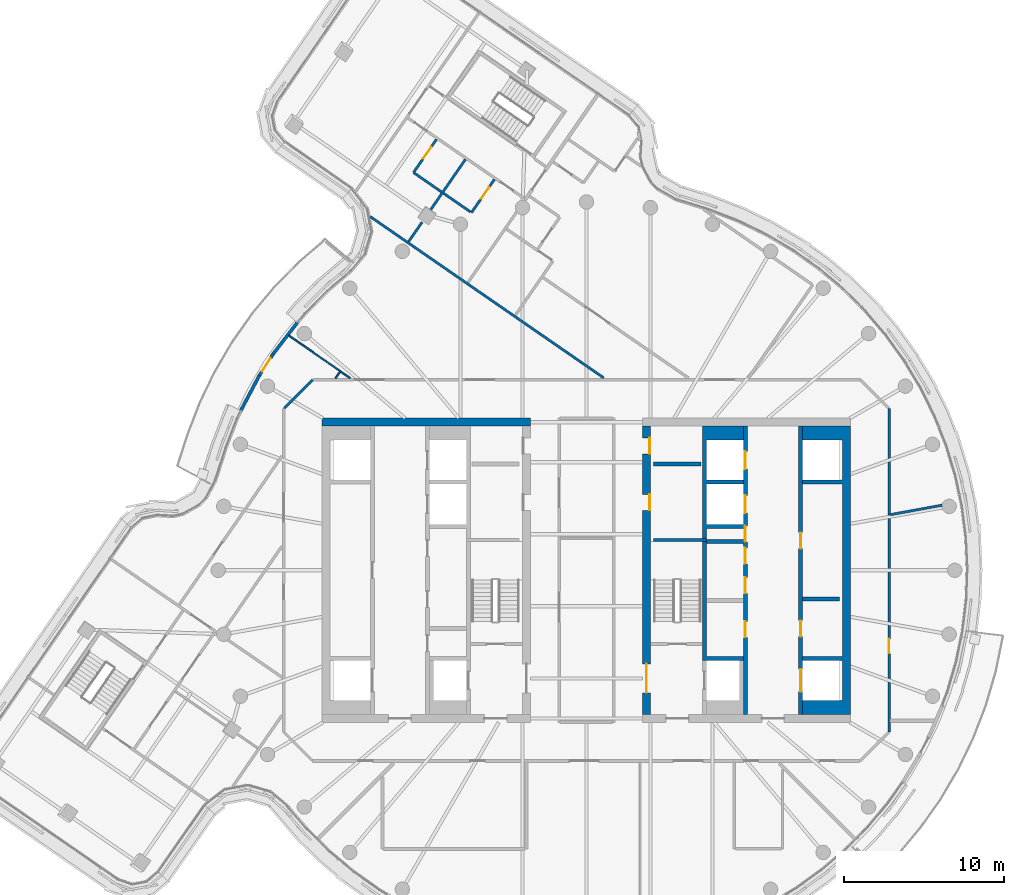
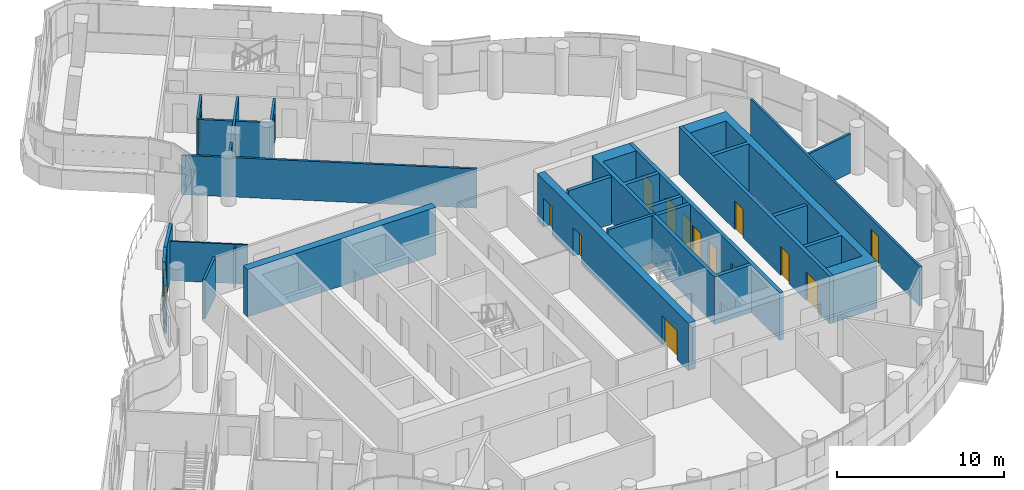
# One storey, part 18 of 26: 24 walls, 16 doors, 16 openings.
"""IFC4 building model written with IfcOpenShell, lengths in metres."""

import ifcopenshell
import ifcopenshell.guid

model = None  # the IFC model being written
_history = None  # IfcOwnerHistory: only IFC2X3 demands one
_inside = {}  # id of a spatial element -> (the spatial element, [elements in it])
_under = {}  # id of a project, library or spatial element -> (it, [spatial elements below it])
_declared = {}  # id of a project -> (the project, [libraries it declares])
_typed = {}  # id of a type object -> (the type object, [elements of that type])
_made_of = {}  # id of a material, layer set ... -> (it, [elements and type objects made of it])


def new_model(schema):
    """Start an empty IFC model of exactly this schema.

    Asked for "IFC4X3", IfcOpenShell would pick the latest addendum, in which some entities
    have other attributes; the version numbers below select the first issue.
    IFC2X3 requires an IfcOwnerHistory on every rooted entity: one is made here for all.
    """
    global model, _history
    if schema == "IFC4X3":
        model = ifcopenshell.file(schema_version=(4, 3, 0, 0))
    else:
        model = ifcopenshell.file(schema=schema)
    _inside.clear()
    _under.clear()
    _declared.clear()
    _typed.clear()
    _made_of.clear()
    _history = None
    if model.schema == "IFC2X3":
        org = make("IfcOrganization", Name="unknown")
        user = make(
            "IfcPersonAndOrganization",
            ThePerson=make("IfcPerson", FamilyName="unknown"),
            TheOrganization=org,
        )
        app = make(
            "IfcApplication",
            ApplicationDeveloper=org,
            Version="unknown",
            ApplicationFullName="unknown",
            ApplicationIdentifier="unknown",
        )
        _history = make(
            "IfcOwnerHistory",
            OwningUser=user,
            OwningApplication=app,
            ChangeAction="ADDED",
            CreationDate=0,
        )
    return model


def make(cls, **values):
    """One entity of the class cls with the attributes given. An attribute that is None is left unset."""
    return model.create_entity(
        cls, **{name: value for name, value in values.items() if value is not None}
    )


def rooted(cls, **values):
    """An entity with a GlobalId (a new one), such as an element, a storey or a relation."""
    return make(cls, GlobalId=ifcopenshell.guid.new(), OwnerHistory=_history, **values)


def si_unit(unit_type, name, prefix=None):
    """IfcSIUnit, for example si_unit("LENGTHUNIT", "METRE", prefix="MILLI")."""
    return make("IfcSIUnit", UnitType=unit_type, Prefix=prefix, Name=name)


def assignment(units):
    """IfcUnitAssignment: the units of a project."""
    return None if units is None else make("IfcUnitAssignment", Units=units)


def point(xyz):
    """IfcCartesianPoint."""
    return None if xyz is None else make("IfcCartesianPoint", Coordinates=xyz)


def direction(xyz):
    """IfcDirection."""
    return None if xyz is None else make("IfcDirection", DirectionRatios=xyz)


def frame(location, z_axis=None, x_axis=None):
    """IfcAxis2Placement3D, a coordinate frame: its origin and axes. An axis left out is left unset."""
    return make(
        "IfcAxis2Placement3D",
        Location=point(location),
        Axis=direction(z_axis),
        RefDirection=direction(x_axis),
    )


def frame_2d(location, x_axis=None):
    """IfcAxis2Placement2D, a coordinate frame in the plane: its origin and x axis."""
    return make(
        "IfcAxis2Placement2D", Location=point(location), RefDirection=direction(x_axis)
    )


def origin():
    """The frame at (0, 0, 0) with its axes left unset."""
    return frame((0.0, 0.0, 0.0))


def place(relative_to, where):
    """IfcLocalPlacement: puts the frame where relative to a parent placement (None: the world)."""
    return make(
        "IfcLocalPlacement", PlacementRelTo=relative_to, RelativePlacement=where
    )


def context(
    kind, dimensions, precision=None, world=None, true_north=None, identifier=None
):
    """IfcGeometricRepresentationContext, for example the 3D "Model" context."""
    return make(
        "IfcGeometricRepresentationContext",
        ContextIdentifier=identifier,
        ContextType=kind,
        CoordinateSpaceDimension=dimensions,
        Precision=precision,
        WorldCoordinateSystem=world,
        TrueNorth=true_north,
    )


def subcontext(parent, identifier, kind, view, scale=None):
    """IfcGeometricRepresentationSubContext, for example "Body" below "Model"."""
    return make(
        "IfcGeometricRepresentationSubContext",
        ContextIdentifier=identifier,
        ContextType=kind,
        ParentContext=parent,
        TargetScale=scale,
        TargetView=view,
    )


def project(units=None, contexts=None):
    """IfcProject with its units and contexts."""
    return rooted(
        "IfcProject",
        Name="project",
        RepresentationContexts=contexts,
        UnitsInContext=assignment(units),
    )


def spatial(cls, under=None, at=None, **own):
    """A site, building, storey or space (cls), placed at a placement, below another one or the project."""
    s = rooted(cls, ObjectPlacement=at, **own)
    if under is not None:
        _under.setdefault(under.id(), (under, []))[1].append(s)
    return s


def polyline(points):
    """IfcPolyline through the points."""
    return make("IfcPolyline", Points=[point(p) for p in points])


def profile(cls, at=None, kind="AREA", **sizes):
    """A parametric profile (cls). Its sizes go by their IFC names, for example OverallWidth=200.0."""
    return make(cls, ProfileType=kind, Position=at, **sizes)


def rectangle(**sizes):
    """IfcRectangleProfileDef."""
    return profile("IfcRectangleProfileDef", **sizes)


def outline(outer, holes=None, kind="AREA"):
    """IfcArbitraryClosedProfileDef: a profile drawn as a closed curve; with holes, ...WithVoids."""
    if holes is None:
        return make("IfcArbitraryClosedProfileDef", ProfileType=kind, OuterCurve=outer)
    return make(
        "IfcArbitraryProfileDefWithVoids",
        ProfileType=kind,
        OuterCurve=outer,
        InnerCurves=holes,
    )


def extrude(swept, where, along, depth):
    """IfcExtrudedAreaSolid: the profile swept, set in the frame where, extruded along a direction by depth."""
    return make(
        "IfcExtrudedAreaSolid",
        SweptArea=swept,
        Position=where,
        ExtrudedDirection=direction(along),
        Depth=depth,
    )


def shape(context_of_items, identifier, shape_type, items):
    """IfcShapeRepresentation: the items that make up one representation, for example the "Body"."""
    return make(
        "IfcShapeRepresentation",
        ContextOfItems=context_of_items,
        RepresentationIdentifier=identifier,
        RepresentationType=shape_type,
        Items=items,
    )


def material(Name=None, Category=None):
    """IfcMaterial."""
    return make("IfcMaterial", Name=Name, Category=Category)


def layer(
    of_material, thickness, ventilated=None, Name=None, Category=None, Priority=None
):
    """IfcMaterialLayer: one layer of a wall or slab, of a material (None: an air gap)."""
    return make(
        "IfcMaterialLayer",
        Material=of_material,
        LayerThickness=thickness,
        IsVentilated=ventilated,
        Name=Name,
        Category=Category,
        Priority=Priority,
    )


def layer_set(layers, Name=None):
    """IfcMaterialLayerSet."""
    return make("IfcMaterialLayerSet", MaterialLayers=layers, LayerSetName=Name)


def made_of(thing, what):
    """Note that an element or type object is made of a material, layer set ...; save() writes the relation."""
    if what is not None:
        _made_of.setdefault(what.id(), (what, []))[1].append(thing)
    return thing


def type_object(cls, material=None, **own):
    """A type object (cls), such as IfcWallType, which elements share."""
    return made_of(rooted(cls, **own), material)


def element(
    cls,
    number,
    at=None,
    inside=None,
    cuts=None,
    type_object=None,
    material=None,
    context=None,
    identifier="Body",
    shape_type=None,
    held_by="IfcProductDefinitionShape",
    body=None,
    shapes=None,
    **own,
):
    """One element of the class cls, such as IfcWall. Its Tag is "e" and its number.

    at: its placement. inside: the storey or other place that contains it. cuts: it is an
    opening in that element (IfcRelVoidsElement). A single representation is given by context,
    identifier, shape_type and body (its items); several are given by shapes. held_by: the class
    of the entity that holds the representations. save() writes the other relations.
    """
    e = rooted(cls, Tag="e%d" % number, ObjectPlacement=at, **own)
    if body is not None:
        shapes = [shape(context, identifier, shape_type, body)]
    if shapes is not None:
        e.Representation = make(held_by, Representations=shapes)
    if inside is not None:
        _inside.setdefault(inside.id(), (inside, []))[1].append(e)
    if cuts is not None:
        rooted(
            "IfcRelVoidsElement", RelatingBuildingElement=cuts, RelatedOpeningElement=e
        )
    if type_object is not None:
        _typed.setdefault(type_object.id(), (type_object, []))[1].append(e)
    return made_of(e, material)


def fill(opening, filler):
    """IfcRelFillsElement: the door or window that sits in an opening."""
    return rooted(
        "IfcRelFillsElement",
        RelatingOpeningElement=opening,
        RelatedBuildingElement=filler,
    )


def aggregate(whole, parts):
    """IfcRelAggregates: a whole, such as a stair, and the parts it consists of."""
    return rooted("IfcRelAggregates", RelatingObject=whole, RelatedObjects=parts)


def save(model, path):
    """Write the relations noted so far, then the file.

    IfcRelAggregates (storeys below a building ...), IfcRelContainedInSpatialStructure (elements
    in a storey), IfcRelDefinesByType, IfcRelAssociatesMaterial and IfcRelDeclares: one each for
    every whole, place, type object, material and project.
    """
    for whole, parts in _under.values():
        aggregate(whole, parts)
    for where, things in _inside.values():
        rooted(
            "IfcRelContainedInSpatialStructure",
            RelatedElements=things,
            RelatingStructure=where,
        )
    for kind, things in _typed.values():
        rooted("IfcRelDefinesByType", RelatedObjects=things, RelatingType=kind)
    for what, things in _made_of.values():
        rooted("IfcRelAssociatesMaterial", RelatedObjects=things, RelatingMaterial=what)
    for by, libraries in _declared.values():
        rooted("IfcRelDeclares", RelatingContext=by, RelatedDefinitions=libraries)
    model.write(path)


model = new_model("IFC4")

# Units and contexts
model_context = context("Model", 3, precision=1e-05, world=origin(), true_north=direction((0.0, 1.0)))
body_context = subcontext(model_context, "Body", "Model", "MODEL_VIEW")
ifc_project = project(units=[si_unit("LENGTHUNIT", "METRE"), si_unit("AREAUNIT", "SQUARE_METRE"), si_unit("VOLUMEUNIT", "CUBIC_METRE"), si_unit("PLANEANGLEUNIT", "RADIAN"), si_unit("MASSUNIT", "GRAM", prefix="KILO")], contexts=[model_context])

# Site, building, storey
site_placement = place(None, origin())
site = spatial("IfcSite", under=ifc_project, at=site_placement, CompositionType="ELEMENT")
building_placement = place(site_placement, origin())
building = spatial("IfcBuilding", under=site, at=building_placement, Name="Tamarind Cross Interchange Tower", CompositionType="ELEMENT")
storey_placement = place(building_placement, frame((0.0, 0.0, 234.300048828125)))
storey = spatial("IfcBuildingStorey", under=building, at=storey_placement, Name="L59", CompositionType="ELEMENT", Elevation=234.300048828125)

# Walls
ifc_material_1 = material(Name="Concrete C40", Category="concrete")
ifc_layer_1 = layer(ifc_material_1, 0.199951171875)
ifc_layer_set_1 = layer_set([ifc_layer_1], Name="Concrete C40")
wall_type_1 = type_object("IfcWallType", Name="Balcony and garden door wall", PredefinedType="SOLIDWALL", material=ifc_layer_set_1)
for number, where, z_axis, x_axis, name in (
    (1, (-18.054443359375, 15.471435546875, 0.0), (0.0, 0.0, 1.0), (-0.61047429588, -0.792036068667, 0.0), "EXW-L59-06-D02L"),
    (2, (-20.426025390625, 12.16796875, 0.0), (0.0, 0.0, 1.0), (-0.467642611756, -0.883917636248, 0.0), "EXW-L59-06-D02R"),
):
    element("IfcWall", number, at=place(storey_placement, frame(where, z_axis=z_axis, x_axis=x_axis)), inside=storey, type_object=wall_type_1, Name=name, PredefinedType="SOLIDWALL", context=body_context, shape_type="SweptSolid", body=[
        extrude(rectangle(XDim=2.471435546875, YDim=0.199951171875, at=frame_2d((1.23583984375, 0.0))), origin(), (0.0, 0.0, 1.0), 3.4599609375),
    ])

# Wall, opening, door
wall_1_placement = place(storey_placement, frame((-19.563232421875, 13.513916015625, 0.0), z_axis=(0.0, 0.0, 1.0), x_axis=(-0.539668889927, -0.841877359979, 0.0)))
wall_1 = element("IfcWall", 3, at=wall_1_placement, inside=storey, type_object=wall_type_1, Name="EXW-L59-06-D02", PredefinedType="SOLIDWALL", context=body_context, shape_type="SweptSolid", body=[
    extrude(rectangle(XDim=1.5986328125, YDim=0.199951171875, at=frame_2d((0.79931640625, 0.0))), origin(), (0.0, 0.0, 1.0), 3.4599609375),
])
opening_1_placement = place(wall_1_placement, frame((0.29931640625, 0.0, 0.0)))
opening_1 = element("IfcOpeningElement", 4, at=opening_1_placement, cuts=wall_1, Name="Opening D2", PredefinedType="OPENING", context=body_context, shape_type="SweptSolid", body=[
    extrude(rectangle(XDim=1.0, YDim=2.39990234375, at=frame_2d((0.5, 1.199951171875))), frame((0.0, 0.10986328125, 0.0), z_axis=(0.0, -1.0, 0.0), x_axis=(1.0, 0.0, 0.0)), (0.0, 0.0, 1.0), 0.219970703125),
])
ifc_material_2 = material(Name="Aluminium and toughened glass", Category="aluminium")
door_type_1 = type_object("IfcDoorType", Name="Balcony and garden door", OperationType="SINGLE_SWING_LEFT", PredefinedType="DOOR", material=ifc_material_2)
door_1_placement = place(opening_1_placement, origin())
door_1 = element("IfcDoor", 5, at=door_1_placement, inside=storey, type_object=door_type_1, Name="DOR-L59-06-02", OperationType="SINGLE_SWING_LEFT", OverallHeight=2.39990234375, OverallWidth=1.0, PredefinedType="DOOR", context=body_context, shape_type="SweptSolid", body=[
    extrude(rectangle(XDim=1.0, YDim=2.39990234375, at=frame_2d((0.5, 1.199951171875))), frame((0.0, 0.02490234375, 0.0), z_axis=(0.0, -1.0, 0.0), x_axis=(1.0, 0.0, 0.0)), (0.0, 0.0, 1.0), 0.050048828125),
])
fill(opening_1, door_1)

# Walls
ifc_material_3 = material(Name="Concrete C50", Category="concrete")
ifc_layer_2 = layer(ifc_material_3, 0.5)
ifc_layer_set_2 = layer_set([ifc_layer_2], Name="Concrete C50")
wall_type_2 = type_object("IfcWallType", Name="Core wall 500 mm Concrete C50", PredefinedType="SHEAR", material=ifc_layer_set_2)
wall_2_placement = place(storey_placement, frame((-16.5, 9.25, 0.0), z_axis=(0.0, 0.0, 1.0), x_axis=(1.0, 0.0, 0.0)))
element("IfcWall", 6, at=wall_2_placement, inside=storey, type_object=wall_type_2, Name="Core wall CWL-L59-W-NE", PredefinedType="SHEAR", context=body_context, shape_type="SweptSolid", body=[
    extrude(rectangle(XDim=13.0, YDim=0.5, at=frame_2d((6.5, 0.0))), origin(), (0.0, 0.0, 1.0), 3.4599609375),
])
wall_3_placement = place(storey_placement, origin())
element("IfcWall", 7, at=wall_3_placement, inside=storey, type_object=wall_type_2, Name="Core wall CWL-L59-E-A", PredefinedType="SHEAR", context=body_context, shape_type="SweptSolid", body=[
    extrude(outline(polyline([(13.5, -8.125), (13.5, -9.0), (16.0, -9.0), (16.5, -9.0), (16.5, 9.0), (16.0, 9.0), (13.5, 9.0), (13.5, 8.125), (16.0, 8.125), (16.0, 5.625), (13.5, 5.625), (13.5, 5.375), (16.0, 5.375), (16.0, -5.375), (13.5, -5.375), (13.5, -5.625), (16.0, -5.625), (16.0, -8.125), (13.5, -8.125)])), origin(), (0.0, 0.0, 1.0), 3.4599609375),
])

# Wall, openings, doors
wall_4_placement = place(storey_placement, frame((3.75, -9.0, 0.0), z_axis=(0.0, 0.0, 1.0), x_axis=(0.0, 1.0, 0.0)))
wall_4 = element("IfcWall", 8, at=wall_4_placement, inside=storey, type_object=wall_type_2, Name="Core wall CWL-L59-E-IN", PredefinedType="SHEAR", context=body_context, shape_type="SweptSolid", body=[
    extrude(rectangle(XDim=18.0, YDim=0.5, at=frame_2d((9.0, 0.0))), origin(), (0.0, 0.0, 1.0), 3.4599609375),
])
opening_2_placement = place(wall_4_placement, frame((1.35009765625, 0.0, 0.0)))
opening_2 = element("IfcOpeningElement", 9, at=opening_2_placement, cuts=wall_4, Name="Opening DCE4", PredefinedType="OPENING", context=body_context, shape_type="SweptSolid", body=[
    extrude(rectangle(XDim=1.800048828125, YDim=2.10009765625, at=frame_2d((0.89990234375, 1.050048828125))), frame((0.0, 0.260009765625, 0.0), z_axis=(0.0, -1.0, 0.0), x_axis=(1.0, 0.0, 0.0)), (0.0, 0.0, 1.0), 0.52001953125),
])
opening_3_placement = place(wall_4_placement, frame((12.74951171875, 0.0, 0.0)))
opening_3 = element("IfcOpeningElement", 10, at=opening_3_placement, cuts=wall_4, Name="Opening DCE5", PredefinedType="OPENING", context=body_context, shape_type="SweptSolid", body=[
    extrude(rectangle(XDim=1.0, YDim=2.10009765625, at=frame_2d((0.5, 1.050048828125))), frame((0.0, 0.260009765625, 0.0), z_axis=(0.0, -1.0, 0.0), x_axis=(1.0, 0.0, 0.0)), (0.0, 0.0, 1.0), 0.52001953125),
])
opening_4_placement = place(wall_4_placement, frame((16.2744140625, 0.0, 0.0)))
opening_4 = element("IfcOpeningElement", 11, at=opening_4_placement, cuts=wall_4, Name="Opening DCE5", PredefinedType="OPENING", context=body_context, shape_type="SweptSolid", body=[
    extrude(rectangle(XDim=1.0, YDim=2.10009765625, at=frame_2d((0.5, 1.050048828125))), frame((0.0, 0.260009765625, 0.0), z_axis=(0.0, -1.0, 0.0), x_axis=(1.0, 0.0, 0.0)), (0.0, 0.0, 1.0), 0.52001953125),
])
ifc_material_4 = material(Name="Steel, fire-resisting", Category="steel")
door_type_2 = type_object("IfcDoorType", Name="Core fire door 1000 x 2100 FD90", OperationType="SINGLE_SWING_LEFT", PredefinedType="DOOR", material=ifc_material_4)
door_2_placement = place(opening_3_placement, origin())
door_2 = element("IfcDoor", 12, at=door_2_placement, inside=storey, type_object=door_type_2, Name="L59 riser room door", OperationType="SINGLE_SWING_LEFT", OverallHeight=2.10009765625, OverallWidth=1.0, PredefinedType="DOOR", context=body_context, shape_type="SweptSolid", body=[
    extrude(rectangle(XDim=1.0, YDim=2.10009765625, at=frame_2d((0.5, 1.050048828125))), frame((0.0, -0.1748046875, 0.0), z_axis=(0.0, -1.0, 0.0), x_axis=(1.0, 0.0, 0.0)), (0.0, 0.0, 1.0), 0.050048828125),
])
fill(opening_3, door_2)
door_3_placement = place(opening_4_placement, origin())
door_3 = element("IfcDoor", 13, at=door_3_placement, inside=storey, type_object=door_type_2, Name="L59 linen press door", OperationType="SINGLE_SWING_LEFT", OverallHeight=2.10009765625, OverallWidth=1.0, PredefinedType="DOOR", context=body_context, shape_type="SweptSolid", body=[
    extrude(rectangle(XDim=1.0, YDim=2.10009765625, at=frame_2d((0.5, 1.050048828125))), frame((0.0, -0.1748046875, 0.0), z_axis=(0.0, -1.0, 0.0), x_axis=(1.0, 0.0, 0.0)), (0.0, 0.0, 1.0), 0.050048828125),
])
fill(opening_4, door_3)
door_type_3 = type_object("IfcDoorType", Name="Core fire door 1800 x 2100 FD90", OperationType="SINGLE_SWING_LEFT", PredefinedType="DOOR", material=ifc_material_4)
door_4_placement = place(opening_2_placement, origin())
door_4 = element("IfcDoor", 14, at=door_4_placement, inside=storey, type_object=door_type_3, Name="L59 firefighting lobby door", OperationType="SINGLE_SWING_LEFT", OverallHeight=2.10009765625, OverallWidth=1.800048828125, PredefinedType="DOOR", context=body_context, shape_type="SweptSolid", body=[
    extrude(rectangle(XDim=1.800048828125, YDim=2.10009765625, at=frame_2d((0.89990234375, 1.050048828125))), frame((0.0, 0.02490234375, 0.0), z_axis=(0.0, -1.0, 0.0), x_axis=(1.0, 0.0, 0.0)), (0.0, 0.0, 1.0), 0.050048828125),
])
fill(opening_2, door_4)

# Walls
ifc_layer_3 = layer(ifc_material_3, 0.199951171875)
ifc_layer_set_3 = layer_set([ifc_layer_3], Name="Concrete C50")
wall_type_3 = type_object("IfcWallType", Name="Core web wall 200 mm Concrete C50", PredefinedType="SHEAR", material=ifc_layer_set_3)
wall_5_placement = place(storey_placement, frame((7.5, 1.89990234375, 0.0), z_axis=(0.0, 0.0, 1.0), x_axis=(-1.0, 0.0, 0.0)))
element("IfcWall", 15, at=wall_5_placement, inside=storey, type_object=wall_type_3, Name="Core wall CWL-L59-E-BD", PredefinedType="SHEAR", context=body_context, shape_type="SweptSolid", body=[
    extrude(rectangle(XDim=3.300048828125, YDim=0.199951171875, at=frame_2d((1.64990234375, 0.0))), origin(), (0.0, 0.0, 1.0), 3.4599609375),
])
ifc_layer_4 = layer(ifc_material_3, 0.25)
ifc_layer_set_4 = layer_set([ifc_layer_4], Name="Concrete C50")
wall_type_4 = type_object("IfcWallType", Name="Core web wall 250 mm Concrete C50", PredefinedType="SHEAR", material=ifc_layer_set_4)
wall_6_placement = place(storey_placement, origin())
element("IfcWall", 16, at=wall_6_placement, inside=storey, type_object=wall_type_4, Name="Core wall CWL-L59-E-BN", PredefinedType="SHEAR", context=body_context, shape_type="SweptSolid", body=[
    extrude(outline(polyline([(9.800048828125, -5.375), (7.5, -5.375), (7.5, 2.625), (9.800048828125, 2.625), (9.800048828125, 2.875), (7.5, 2.875), (7.5, 5.375), (9.800048828125, 5.375), (9.800048828125, 5.625), (7.5, 5.625), (7.5, 8.125), (9.800048828125, 8.125), (9.800048828125, 9.0), (7.5, 9.0), (7.25, 9.0), (7.25, -5.625), (7.5, -5.625), (9.800048828125, -5.625), (9.800048828125, -5.375)])), origin(), (0.0, 0.0, 1.0), 3.4599609375),
])

# Wall, openings, doors
wall_7_placement = place(storey_placement, frame((13.375, -9.0, 0.0), z_axis=(0.0, 0.0, 1.0), x_axis=(0.0, 1.0, 0.0)))
wall_7 = element("IfcWall", 17, at=wall_7_placement, inside=storey, type_object=wall_type_4, Name="Core wall CWL-L59-E-LA", PredefinedType="SHEAR", context=body_context, shape_type="SweptSolid", body=[
    extrude(rectangle(XDim=18.0, YDim=0.25, at=frame_2d((9.0, 0.0))), origin(), (0.0, 0.0, 1.0), 3.4599609375),
])
opening_5_placement = place(wall_7_placement, frame((1.425048828125, 0.0, 0.0)))
opening_5 = element("IfcOpeningElement", 18, at=opening_5_placement, cuts=wall_7, Name="Opening LD13L59", PredefinedType="OPENING", context=body_context, shape_type="SweptSolid", body=[
    extrude(rectangle(XDim=1.39990234375, YDim=2.10009765625, at=frame_2d((0.699951171875, 1.050048828125))), frame((0.0, 0.135009765625, 0.0), z_axis=(0.0, -1.0, 0.0), x_axis=(1.0, 0.0, 0.0)), (0.0, 0.0, 1.0), 0.27001953125),
])
opening_6_placement = place(wall_7_placement, frame((4.85400390625, 0.0, 0.0)))
opening_6 = element("IfcOpeningElement", 19, at=opening_6_placement, cuts=wall_7, Name="Opening DCE9", PredefinedType="OPENING", context=body_context, shape_type="SweptSolid", body=[
    extrude(rectangle(XDim=1.0, YDim=2.10009765625, at=frame_2d((0.5, 1.050048828125))), frame((0.0, 0.135009765625, 0.0), z_axis=(0.0, -1.0, 0.0), x_axis=(1.0, 0.0, 0.0)), (0.0, 0.0, 1.0), 0.27001953125),
])
opening_7_placement = place(wall_7_placement, frame((10.35400390625, 0.0, 0.0)))
opening_7 = element("IfcOpeningElement", 20, at=opening_7_placement, cuts=wall_7, Name="Opening DCE10", PredefinedType="OPENING", context=body_context, shape_type="SweptSolid", body=[
    extrude(rectangle(XDim=1.0, YDim=2.10009765625, at=frame_2d((0.5, 1.050048828125))), frame((0.0, 0.135009765625, 0.0), z_axis=(0.0, -1.0, 0.0), x_axis=(1.0, 0.0, 0.0)), (0.0, 0.0, 1.0), 0.27001953125),
])
door_5_placement = place(opening_6_placement, origin())
door_5 = element("IfcDoor", 21, at=door_5_placement, inside=storey, type_object=door_type_2, Name="L59 Hotel pantry door", OperationType="SINGLE_SWING_LEFT", OverallHeight=2.10009765625, OverallWidth=1.0, PredefinedType="DOOR", context=body_context, shape_type="SweptSolid", body=[
    extrude(rectangle(XDim=1.0, YDim=2.10009765625, at=frame_2d((0.5, 1.050048828125))), frame((0.0, 0.02490234375, 0.0), z_axis=(0.0, -1.0, 0.0), x_axis=(1.0, 0.0, 0.0)), (0.0, 0.0, 1.0), 0.050048828125),
])
fill(opening_6, door_5)
door_6_placement = place(opening_7_placement, origin())
door_6 = element("IfcDoor", 22, at=door_6_placement, inside=storey, type_object=door_type_2, Name="L59 Staff changing room door", OperationType="SINGLE_SWING_LEFT", OverallHeight=2.10009765625, OverallWidth=1.0, PredefinedType="DOOR", context=body_context, shape_type="SweptSolid", body=[
    extrude(rectangle(XDim=1.0, YDim=2.10009765625, at=frame_2d((0.5, 1.050048828125))), frame((0.0, 0.02490234375, 0.0), z_axis=(0.0, -1.0, 0.0), x_axis=(1.0, 0.0, 0.0)), (0.0, 0.0, 1.0), 0.050048828125),
])
fill(opening_7, door_6)
ifc_material_5 = material(Name="Stainless steel panel", Category="steel")
door_type_4 = type_object("IfcDoorType", Name="Lift landing door 1400 x 2100 E 120", OperationType="SLIDING_TO_LEFT", PredefinedType="DOOR", material=ifc_material_5)
door_7_placement = place(opening_5_placement, origin())
door_7 = element("IfcDoor", 23, at=door_7_placement, inside=storey, type_object=door_type_4, Name="L59 landing door LF13", OperationType="SLIDING_TO_LEFT", OverallHeight=2.10009765625, OverallWidth=1.39990234375, PredefinedType="DOOR", context=body_context, shape_type="SweptSolid", body=[
    extrude(rectangle(XDim=1.39990234375, YDim=2.10009765625, at=frame_2d((0.699951171875, 1.050048828125))), frame((0.0, 0.02490234375, 0.0), z_axis=(0.0, -1.0, 0.0), x_axis=(1.0, 0.0, 0.0)), (0.0, 0.0, 1.0), 0.050048828125),
])
fill(opening_5, door_7)

wall_8_placement = place(storey_placement, frame((9.925048828125, -9.0, 0.0), z_axis=(0.0, 0.0, 1.0), x_axis=(0.0, 1.0, 0.0)))
wall_8 = element("IfcWall", 24, at=wall_8_placement, inside=storey, type_object=wall_type_4, Name="Core wall CWL-L59-E-LB", PredefinedType="SHEAR", context=body_context, shape_type="SweptSolid", body=[
    extrude(rectangle(XDim=18.0, YDim=0.25, at=frame_2d((9.0, 0.0))), origin(), (0.0, 0.0, 1.0), 3.4599609375),
])
opening_8_placement = place(wall_8_placement, frame((12.574951171875, 0.0, 0.0)))
opening_8 = element("IfcOpeningElement", 25, at=opening_8_placement, cuts=wall_8, Name="Opening LD23L59", PredefinedType="OPENING", context=body_context, shape_type="SweptSolid", body=[
    extrude(rectangle(XDim=1.10009765625, YDim=2.10009765625, at=frame_2d((0.550048828125, 1.050048828125))), frame((0.0, 0.135009765625, 0.0), z_axis=(0.0, -1.0, 0.0), x_axis=(1.0, 0.0, 0.0)), (0.0, 0.0, 1.0), 0.27001953125),
])
opening_9_placement = place(wall_8_placement, frame((15.324951171875, 0.0, 0.0)))
opening_9 = element("IfcOpeningElement", 26, at=opening_9_placement, cuts=wall_8, Name="Opening LD24L59", PredefinedType="OPENING", context=body_context, shape_type="SweptSolid", body=[
    extrude(rectangle(XDim=1.10009765625, YDim=2.10009765625, at=frame_2d((0.550048828125, 1.050048828125))), frame((0.0, 0.135009765625, 0.0), z_axis=(0.0, -1.0, 0.0), x_axis=(1.0, 0.0, 0.0)), (0.0, 0.0, 1.0), 0.27001953125),
])
opening_10_placement = place(wall_8_placement, frame((4.8125, 0.0, 0.0)))
opening_10 = element("IfcOpeningElement", 27, at=opening_10_placement, cuts=wall_8, Name="Opening DCE21", PredefinedType="OPENING", context=body_context, shape_type="SweptSolid", body=[
    extrude(rectangle(XDim=1.0, YDim=2.10009765625, at=frame_2d((0.5, 1.050048828125))), frame((0.0, 0.135009765625, 0.0), z_axis=(0.0, -1.0, 0.0), x_axis=(1.0, 0.0, 0.0)), (0.0, 0.0, 1.0), 0.27001953125),
])
opening_11_placement = place(wall_8_placement, frame((7.5625, 0.0, 0.0)))
opening_11 = element("IfcOpeningElement", 28, at=opening_11_placement, cuts=wall_8, Name="Opening DCE22", PredefinedType="OPENING", context=body_context, shape_type="SweptSolid", body=[
    extrude(rectangle(XDim=1.0, YDim=2.10009765625, at=frame_2d((0.5, 1.050048828125))), frame((0.0, 0.135009765625, 0.0), z_axis=(0.0, -1.0, 0.0), x_axis=(1.0, 0.0, 0.0)), (0.0, 0.0, 1.0), 0.27001953125),
])
opening_12_placement = place(wall_8_placement, frame((9.39599609375, 0.0, 0.0)))
opening_12 = element("IfcOpeningElement", 29, at=opening_12_placement, cuts=wall_8, Name="Opening DCE21", PredefinedType="OPENING", context=body_context, shape_type="SweptSolid", body=[
    extrude(rectangle(XDim=1.0, YDim=2.10009765625, at=frame_2d((0.5, 1.050048828125))), frame((0.0, 0.135009765625, 0.0), z_axis=(0.0, -1.0, 0.0), x_axis=(1.0, 0.0, 0.0)), (0.0, 0.0, 1.0), 0.27001953125),
])
opening_13_placement = place(wall_8_placement, frame((10.77099609375, 0.0, 0.0)))
opening_13 = element("IfcOpeningElement", 30, at=opening_13_placement, cuts=wall_8, Name="Opening DCE22", PredefinedType="OPENING", context=body_context, shape_type="SweptSolid", body=[
    extrude(rectangle(XDim=1.0, YDim=2.10009765625, at=frame_2d((0.5, 1.050048828125))), frame((0.0, 0.135009765625, 0.0), z_axis=(0.0, -1.0, 0.0), x_axis=(1.0, 0.0, 0.0)), (0.0, 0.0, 1.0), 0.27001953125),
])
door_8_placement = place(opening_10_placement, origin())
door_8 = element("IfcDoor", 31, at=door_8_placement, inside=storey, type_object=door_type_2, Name="L59 Staff changing room door", OperationType="SINGLE_SWING_LEFT", OverallHeight=2.10009765625, OverallWidth=1.0, PredefinedType="DOOR", context=body_context, shape_type="SweptSolid", body=[
    extrude(rectangle(XDim=1.0, YDim=2.10009765625, at=frame_2d((0.5, 1.050048828125))), frame((0.0, 0.02490234375, 0.0), z_axis=(0.0, -1.0, 0.0), x_axis=(1.0, 0.0, 0.0)), (0.0, 0.0, 1.0), 0.050048828125),
])
fill(opening_10, door_8)
door_9_placement = place(opening_11_placement, origin())
door_9 = element("IfcDoor", 32, at=door_9_placement, inside=storey, type_object=door_type_2, Name="L59 Ice and vending room door", OperationType="SINGLE_SWING_LEFT", OverallHeight=2.10009765625, OverallWidth=1.0, PredefinedType="DOOR", context=body_context, shape_type="SweptSolid", body=[
    extrude(rectangle(XDim=1.0, YDim=2.10009765625, at=frame_2d((0.5, 1.050048828125))), frame((0.0, 0.02490234375, 0.0), z_axis=(0.0, -1.0, 0.0), x_axis=(1.0, 0.0, 0.0)), (0.0, 0.0, 1.0), 0.050048828125),
])
fill(opening_11, door_9)
door_10_placement = place(opening_12_placement, origin())
door_10 = element("IfcDoor", 33, at=door_10_placement, inside=storey, type_object=door_type_2, Name="L59 Staff changing room door", OperationType="SINGLE_SWING_LEFT", OverallHeight=2.10009765625, OverallWidth=1.0, PredefinedType="DOOR", context=body_context, shape_type="SweptSolid", body=[
    extrude(rectangle(XDim=1.0, YDim=2.10009765625, at=frame_2d((0.5, 1.050048828125))), frame((0.0, 0.02490234375, 0.0), z_axis=(0.0, -1.0, 0.0), x_axis=(1.0, 0.0, 0.0)), (0.0, 0.0, 1.0), 0.050048828125),
])
fill(opening_12, door_10)
door_11_placement = place(opening_13_placement, origin())
door_11 = element("IfcDoor", 34, at=door_11_placement, inside=storey, type_object=door_type_2, Name="L59 Ice and vending room door", OperationType="SINGLE_SWING_LEFT", OverallHeight=2.10009765625, OverallWidth=1.0, PredefinedType="DOOR", context=body_context, shape_type="SweptSolid", body=[
    extrude(rectangle(XDim=1.0, YDim=2.10009765625, at=frame_2d((0.5, 1.050048828125))), frame((0.0, 0.02490234375, 0.0), z_axis=(0.0, -1.0, 0.0), x_axis=(1.0, 0.0, 0.0)), (0.0, 0.0, 1.0), 0.050048828125),
])
fill(opening_13, door_11)
door_type_5 = type_object("IfcDoorType", Name="Lift landing door 1100 x 2100 E 120", OperationType="SLIDING_TO_LEFT", PredefinedType="DOOR", material=ifc_material_5)
door_12_placement = place(opening_8_placement, origin())
door_12 = element("IfcDoor", 35, at=door_12_placement, inside=storey, type_object=door_type_5, Name="L59 landing door LF23", OperationType="SLIDING_TO_LEFT", OverallHeight=2.10009765625, OverallWidth=1.10009765625, PredefinedType="DOOR", context=body_context, shape_type="SweptSolid", body=[
    extrude(rectangle(XDim=1.10009765625, YDim=2.10009765625, at=frame_2d((0.550048828125, 1.050048828125))), frame((0.0, 0.02490234375, 0.0), z_axis=(0.0, -1.0, 0.0), x_axis=(1.0, 0.0, 0.0)), (0.0, 0.0, 1.0), 0.050048828125),
])
fill(opening_8, door_12)
door_13_placement = place(opening_9_placement, origin())
door_13 = element("IfcDoor", 36, at=door_13_placement, inside=storey, type_object=door_type_5, Name="L59 landing door LF24", OperationType="SLIDING_TO_LEFT", OverallHeight=2.10009765625, OverallWidth=1.10009765625, PredefinedType="DOOR", context=body_context, shape_type="SweptSolid", body=[
    extrude(rectangle(XDim=1.10009765625, YDim=2.10009765625, at=frame_2d((0.550048828125, 1.050048828125))), frame((0.0, 0.02490234375, 0.0), z_axis=(0.0, -1.0, 0.0), x_axis=(1.0, 0.0, 0.0)), (0.0, 0.0, 1.0), 0.050048828125),
])
fill(opening_9, door_13)

# Walls
ifc_material_6 = material(Name="Gypsum board partition on steel studs", Category="steel")
ifc_layer_5 = layer(ifc_material_6, 0.10009765625)
ifc_layer_set_5 = layer_set([ifc_layer_5], Name="Gypsum board partition on steel studs")
wall_type_5 = type_object("IfcWallType", Name="Partition 100 mm EI 120", PredefinedType="PARTITIONING", material=ifc_layer_set_5)
wall_9_placement = place(storey_placement, frame((-18.599365234375, 14.66552734375, 0.0), z_axis=(0.0, 0.0, 1.0), x_axis=(0.822736975371, -0.56842226325, 0.0)))
element("IfcWall", 37, at=wall_9_placement, inside=storey, type_object=wall_type_5, Name="Partition L59-010", PredefinedType="PARTITIONING", context=body_context, shape_type="SweptSolid", body=[
    extrude(rectangle(XDim=4.69140625, YDim=0.10009765625, at=frame_2d((2.345703125, 0.0))), origin(), (0.0, 0.0, 1.0), 2.864013671875),
])
ifc_layer_6 = layer(ifc_material_6, 0.10009765625)
ifc_layer_set_6 = layer_set([ifc_layer_6], Name="Gypsum board partition on steel studs")
wall_type_6 = type_object("IfcWallType", Name="Partition 100 mm EI 90", PredefinedType="PARTITIONING", material=ifc_layer_set_6)
wall_10_placement = place(storey_placement, frame((-15.667236328125, 11.986328125, 0.0), z_axis=(0.0, 0.0, 1.0), x_axis=(0.568142292834, 0.822930334289, 0.0)))
element("IfcWall", 38, at=wall_10_placement, inside=storey, type_object=wall_type_6, Name="Partition L59-040", PredefinedType="PARTITIONING", context=body_context, shape_type="SweptSolid", body=[
    extrude(rectangle(XDim=0.48779296875, YDim=0.10009765625, at=frame_2d((0.243896484375, 0.0))), origin(), (0.0, 0.0, 1.0), 2.864013671875),
])
ifc_layer_7 = layer(ifc_material_6, 0.14990234375)
ifc_layer_set_7 = layer_set([ifc_layer_7], Name="Gypsum board partition on steel studs")
wall_type_7 = type_object("IfcWallType", Name="Partition 150 mm EI 120", PredefinedType="PARTITIONING", material=ifc_layer_set_7)
wall_11_placement = place(storey_placement, frame((-13.50537109375, 22.089599609375, 0.0), z_axis=(0.0, 0.0, 1.0), x_axis=(0.822876963687, -0.568219590152, 0.0)))
element("IfcWall", 39, at=wall_11_placement, inside=storey, type_object=wall_type_7, Name="Partition L59-011", PredefinedType="PARTITIONING", context=body_context, shape_type="SweptSolid", body=[
    extrude(rectangle(XDim=17.72265625, YDim=0.14990234375, at=frame_2d((8.861328125, 0.0))), origin(), (0.0, 0.0, 1.0), 2.864013671875),
])
wall_12_placement = place(storey_placement, frame((-10.782470703125, 24.82763671875, 0.0), z_axis=(0.0, 0.0, 1.0), x_axis=(0.822836909999, -0.568277590217, 0.0)))
element("IfcWall", 40, at=wall_12_placement, inside=storey, type_object=wall_type_7, Name="Partition L59-013", PredefinedType="PARTITIONING", context=body_context, shape_type="SweptSolid", body=[
    extrude(rectangle(XDim=4.30419921875, YDim=0.14990234375, at=frame_2d((2.152099609375, 0.0))), origin(), (0.0, 0.0, 1.0), 2.864013671875),
])
wall_13_placement = place(storey_placement, frame((18.968994140625, 3.47265625, 0.0), z_axis=(0.0, 0.0, 1.0), x_axis=(0.983666527539, 0.180000451664, 0.0)))
element("IfcWall", 41, at=wall_13_placement, inside=storey, type_object=wall_type_7, Name="Partition L59-033", PredefinedType="PARTITIONING", context=body_context, shape_type="SweptSolid", body=[
    extrude(rectangle(XDim=3.29443359375, YDim=0.14990234375, at=frame_2d((1.647216796875, 0.0))), origin(), (0.0, 0.0, 1.0), 2.864013671875),
])
wall_14_placement = place(storey_placement, frame((-18.87158203125, 10.12841796875, 0.0), z_axis=(0.0, 0.0, 1.0), x_axis=(0.707106781187, 0.707106781187, 0.0)))
element("IfcWall", 42, at=wall_14_placement, inside=storey, type_object=wall_type_7, Name="Partition L59-034", PredefinedType="PARTITIONING", context=body_context, shape_type="SweptSolid", body=[
    extrude(rectangle(XDim=2.50537109375, YDim=0.14990234375, at=frame_2d((1.252685546875, 0.0))), origin(), (0.0, 0.0, 1.0), 2.864013671875),
])
wall_15_placement = place(storey_placement, frame((-11.1025390625, 20.52783203125, 0.0), z_axis=(0.0, 0.0, 1.0), x_axis=(0.568166666622, 0.822913506354, 0.0)))
element("IfcWall", 43, at=wall_15_placement, inside=storey, type_object=wall_type_7, Name="Partition L59-044", PredefinedType="PARTITIONING", context=body_context, shape_type="SweptSolid", body=[
    extrude(rectangle(XDim=1.472900390625, YDim=0.14990234375, at=frame_2d((0.736328125, 0.0))), origin(), (0.0, 0.0, 1.0), 2.864013671875),
])
wall_16_placement = place(storey_placement, frame((-9.722412109375, 22.52685546875, 0.0), z_axis=(0.0, 0.0, 1.0), x_axis=(0.568183486807, 0.822901892889, 0.0)))
element("IfcWall", 44, at=wall_16_placement, inside=storey, type_object=wall_type_7, Name="Partition L59-045", PredefinedType="PARTITIONING", context=body_context, shape_type="SweptSolid", body=[
    extrude(rectangle(XDim=3.810791015625, YDim=0.14990234375, at=frame_2d((1.9052734375, 0.0))), origin(), (0.0, 0.0, 1.0), 2.864013671875),
])

# Wall, opening, door
wall_17_placement = place(storey_placement, frame((-10.799072265625, 24.839111328125, 0.0), z_axis=(0.0, 0.0, 1.0), x_axis=(0.568086063137, 0.822969151833, 0.0)))
wall_17 = element("IfcWall", 45, at=wall_17_placement, inside=storey, type_object=wall_type_7, Name="Partition L59-046", PredefinedType="PARTITIONING", context=body_context, shape_type="SweptSolid", body=[
    extrude(rectangle(XDim=2.52001953125, YDim=0.14990234375, at=frame_2d((1.260009765625, 0.0))), origin(), (0.0, 0.0, 1.0), 2.864013671875),
])
opening_14_placement = place(wall_17_placement, frame((1.050048828125, 0.0, 0.0)))
opening_14 = element("IfcOpeningElement", 46, at=opening_14_placement, cuts=wall_17, Name="Opening D23", PredefinedType="OPENING", context=body_context, shape_type="SweptSolid", body=[
    extrude(rectangle(XDim=0.89990234375, YDim=2.10009765625, at=frame_2d((0.449951171875, 1.050048828125))), frame((0.0, 0.0849609375, 0.0), z_axis=(0.0, -1.0, 0.0), x_axis=(1.0, 0.0, 0.0)), (0.0, 0.0, 1.0), 0.169921875),
])
ifc_material_7 = material(Name="Fire-resisting door set")
door_type_6 = type_object("IfcDoorType", Name="Interior door 900 x 2100 FD60S", OperationType="SINGLE_SWING_LEFT", PredefinedType="DOOR", material=ifc_material_7)
door_14_placement = place(opening_14_placement, frame((0.89990234375, 0.0, 0.0), z_axis=(0.0, 0.0, 1.0), x_axis=(-1.0, 0.0, 0.0)))
door_14 = element("IfcDoor", 47, at=door_14_placement, inside=storey, type_object=door_type_6, Name="Door D23", OperationType="SINGLE_SWING_RIGHT", OverallHeight=2.10009765625, OverallWidth=0.89990234375, PredefinedType="DOOR", context=body_context, shape_type="SweptSolid", body=[
    extrude(rectangle(XDim=0.89990234375, YDim=2.10009765625, at=frame_2d((0.449951171875, 1.050048828125))), frame((0.0, 0.02490234375, 0.0), z_axis=(0.0, -1.0, 0.0), x_axis=(1.0, 0.0, 0.0)), (0.0, 0.0, 1.0), 0.050048828125),
])
fill(opening_14, door_14)

wall_18_placement = place(storey_placement, frame((-7.178955078125, 22.339111328125, 0.0), z_axis=(0.0, 0.0, 1.0), x_axis=(0.568282852212, 0.822833275872, 0.0)))
wall_18 = element("IfcWall", 48, at=wall_18_placement, inside=storey, type_object=wall_type_7, Name="Partition L59-049", PredefinedType="PARTITIONING", context=body_context, shape_type="SweptSolid", body=[
    extrude(rectangle(XDim=2.5205078125, YDim=0.14990234375, at=frame_2d((1.26025390625, 0.0))), origin(), (0.0, 0.0, 1.0), 2.864013671875),
])
opening_15_placement = place(wall_18_placement, frame((1.050048828125, 0.0, 0.0)))
opening_15 = element("IfcOpeningElement", 49, at=opening_15_placement, cuts=wall_18, Name="Opening D25", PredefinedType="OPENING", context=body_context, shape_type="SweptSolid", body=[
    extrude(rectangle(XDim=0.89990234375, YDim=2.10009765625, at=frame_2d((0.449951171875, 1.050048828125))), frame((0.0, 0.0849609375, 0.0), z_axis=(0.0, -1.0, 0.0), x_axis=(1.0, 0.0, 0.0)), (0.0, 0.0, 1.0), 0.169921875),
])
door_15_placement = place(opening_15_placement, origin())
door_15 = element("IfcDoor", 50, at=door_15_placement, inside=storey, type_object=door_type_6, Name="Door D25", OperationType="SINGLE_SWING_LEFT", OverallHeight=2.10009765625, OverallWidth=0.89990234375, PredefinedType="DOOR", context=body_context, shape_type="SweptSolid", body=[
    extrude(rectangle(XDim=0.89990234375, YDim=2.10009765625, at=frame_2d((0.449951171875, 1.050048828125))), frame((0.0, 0.02490234375, 0.0), z_axis=(0.0, -1.0, 0.0), x_axis=(1.0, 0.0, 0.0)), (0.0, 0.0, 1.0), 0.050048828125),
])
fill(opening_15, door_15)

wall_19_placement = place(storey_placement, frame((18.89990234375, -10.10009765625, 0.0), z_axis=(0.0, 0.0, 1.0), x_axis=(0.0, 1.0, 0.0)))
wall_19 = element("IfcWall", 51, at=wall_19_placement, inside=storey, type_object=wall_type_7, Name="Partition L59-063", PredefinedType="PARTITIONING", context=body_context, shape_type="SweptSolid", body=[
    extrude(rectangle(XDim=20.2001953125, YDim=0.14990234375, at=frame_2d((10.10009765625, 0.0))), origin(), (0.0, 0.0, 1.0), 2.864013671875),
])
opening_16_placement = place(wall_19_placement, frame((4.910888671875, 0.0, 0.0)))
opening_16 = element("IfcOpeningElement", 52, at=opening_16_placement, cuts=wall_19, Name="Opening D32", PredefinedType="OPENING", context=body_context, shape_type="SweptSolid", body=[
    extrude(rectangle(XDim=0.89990234375, YDim=2.10009765625, at=frame_2d((0.449951171875, 1.050048828125))), frame((0.0, 0.0849609375, 0.0), z_axis=(0.0, -1.0, 0.0), x_axis=(1.0, 0.0, 0.0)), (0.0, 0.0, 1.0), 0.169921875),
])
door_16_placement = place(opening_16_placement, frame((0.89990234375, 0.0, 0.0), z_axis=(0.0, 0.0, 1.0), x_axis=(-1.0, 0.0, 0.0)))
door_16 = element("IfcDoor", 53, at=door_16_placement, inside=storey, type_object=door_type_6, Name="Door D32", OperationType="SINGLE_SWING_LEFT", OverallHeight=2.10009765625, OverallWidth=0.89990234375, PredefinedType="DOOR", context=body_context, shape_type="SweptSolid", body=[
    extrude(rectangle(XDim=0.89990234375, YDim=2.10009765625, at=frame_2d((0.449951171875, 1.050048828125))), frame((0.0, 0.02490234375, 0.0), z_axis=(0.0, -1.0, 0.0), x_axis=(1.0, 0.0, 0.0)), (0.0, 0.0, 1.0), 0.050048828125),
])
fill(opening_16, door_16)

# Walls
ifc_layer_8 = layer(ifc_material_1, 0.25)
ifc_layer_set_8 = layer_set([ifc_layer_8], Name="Concrete C40")
wall_type_8 = type_object("IfcWallType", Name="Shaft and lobby wall 250 mm Concrete C40", PredefinedType="PARTITIONING", material=ifc_layer_set_8)
wall_20_placement = place(storey_placement, frame((7.14990234375, 6.6240234375, 0.0), z_axis=(0.0, 0.0, 1.0), x_axis=(-1.0, 0.0, 0.0)))
element("IfcWall", 54, at=wall_20_placement, inside=storey, type_object=wall_type_8, Name="Shaft wall CWL-L59-E-SVP", PredefinedType="PARTITIONING", context=body_context, shape_type="SweptSolid", body=[
    extrude(rectangle(XDim=2.949951171875, YDim=0.25, at=frame_2d((1.47509765625, 0.0))), origin(), (0.0, 0.0, 1.0), 3.4599609375),
])
for number, where, z_axis, x_axis, name in (
    (55, (15.800048828125, -1.7919921875, 0.0), (0.0, 0.0, 1.0), (-1.0, 0.0, 0.0), "Shaft wall CWL-L59-E-FPA1"),
    (56, (9.800048828125, 1.7919921875, 0.0), (0.0, 0.0, 1.0), (-1.0, 0.0, 0.0), "Shaft wall CWL-L59-E-FPB3"),
):
    element("IfcWall", number, at=place(storey_placement, frame(where, z_axis=z_axis, x_axis=x_axis)), inside=storey, type_object=wall_type_8, Name=name, PredefinedType="PARTITIONING", context=body_context, shape_type="SweptSolid", body=[
        extrude(rectangle(XDim=2.300048828125, YDim=0.25, at=frame_2d((1.14990234375, 0.0))), origin(), (0.0, 0.0, 1.0), 3.4599609375),
    ])

save(model, "model.ifc")
